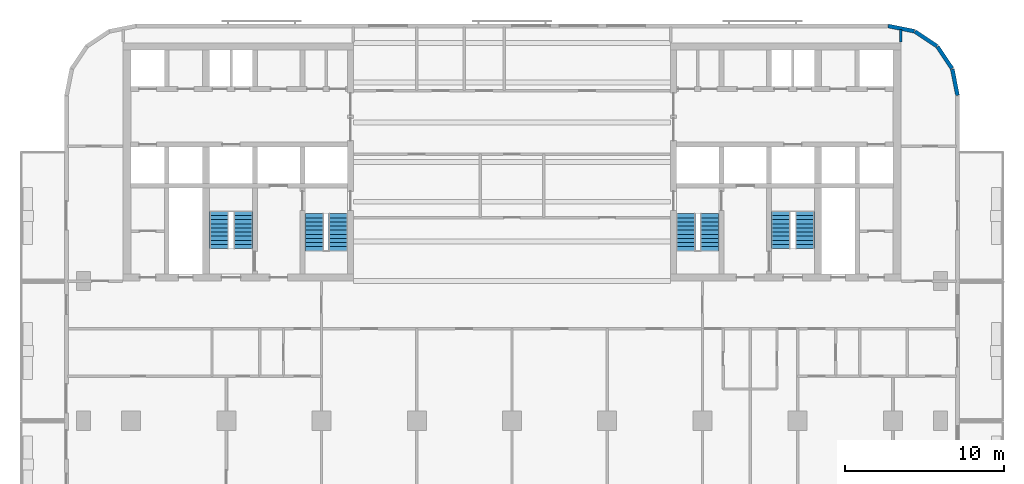
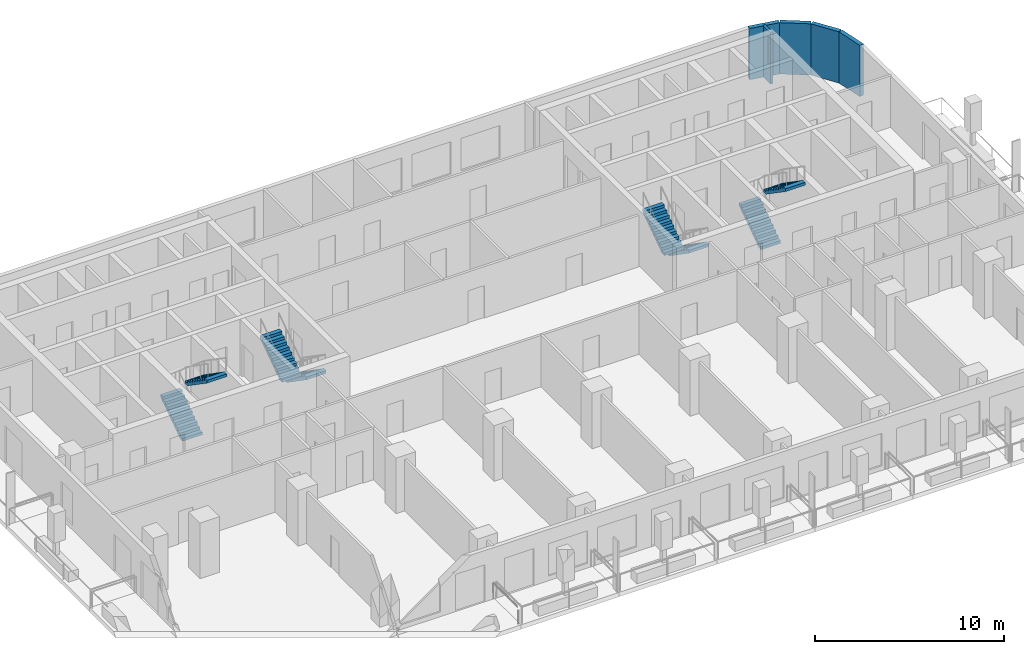
# One storey, part 8 of 12: 8 stair flights, 5 walls, 4 elements without a shape of their own.
"""IFC4 building model written with IfcOpenShell, lengths in metres."""

from ifc_helpers import new_model, si_unit, direction, frame, frame_2d, origin, place, context, subcontext, project, spatial, polyline, rectangle, outline, extrude, material, layer, layer_set, type_object, element, aggregate, save


model = new_model("IFC4")

# Units and contexts
model_context = context("Model", 3, precision=1e-05, world=origin(), true_north=direction((0.0, 1.0)))
body_context = subcontext(model_context, "Body", "Model", "MODEL_VIEW")
ifc_project = project(units=[si_unit("LENGTHUNIT", "METRE"), si_unit("AREAUNIT", "SQUARE_METRE"), si_unit("VOLUMEUNIT", "CUBIC_METRE"), si_unit("PLANEANGLEUNIT", "RADIAN"), si_unit("MASSUNIT", "GRAM", prefix="KILO")], contexts=[model_context])

# Site, building, storey
site_placement = place(None, origin())
site = spatial("IfcSite", under=ifc_project, at=site_placement, CompositionType="ELEMENT")
building_placement = place(site_placement, origin())
building = spatial("IfcBuilding", under=site, at=building_placement, Name="Torana Hotel and Residences", CompositionType="ELEMENT")
storey_placement = place(building_placement, frame((0.0, 0.0, 159.60009765625)))
storey = spatial("IfcBuildingStorey", under=building, at=storey_placement, Name="L41", CompositionType="ELEMENT", Elevation=159.60009765625)

# Walls
ifc_material_1 = material(Name="Black aluminium composite panel", Category="aluminium")
ifc_layer_1 = layer(ifc_material_1, 0.00390625, Name="Cladding", Category="cladding")
ifc_material_2 = material(Name="Ventilated air cavity")
ifc_layer_2 = layer(ifc_material_2, 0.0400390625, Name="Ventilated cavity", Category="cavity")
ifc_material_3 = material(Name="Mineral wool insulation")
ifc_layer_3 = layer(ifc_material_3, 0.090087890625, Name="Insulation", Category="insulation")
ifc_material_4 = material(Name="Steel S280GD", Category="steel")
ifc_layer_4 = layer(ifc_material_4, 0.092041015625, Name="Steel stud frame", Category="structure")
ifc_material_5 = material(Name="Fire rated plasterboard")
ifc_layer_5 = layer(ifc_material_5, 0.011962890625, Name="Inner board", Category="finish")
ifc_layer_6 = layer(ifc_material_5, 0.011962890625, Name="Second board", Category="finish")
ifc_layer_set_1 = layer_set([ifc_layer_1, ifc_layer_2, ifc_layer_3, ifc_layer_4, ifc_layer_5, ifc_layer_6], Name="EW1 EXTERNAL WALL BLACK METAL CLAD 250")
wall_type_1 = type_object("IfcWallType", Name="EW1 EXTERNAL WALL BLACK METAL CLAD 250", PredefinedType="SOLIDWALL", material=ifc_layer_set_1)
wall_1_placement = place(storey_placement, frame((28.072509765625, -3.30029296875, 0.0), z_axis=(0.0, 0.0, 1.0), x_axis=(-0.194999110559, 0.980803419081, 0.0)))
element("IfcWall", 1, at=wall_1_placement, inside=storey, type_object=wall_type_1, Name="External wall L41 e0.0", PredefinedType="SOLIDWALL", context=body_context, shape_type="SweptSolid", body=[
    extrude(rectangle(XDim=1.681396484375, YDim=0.25, at=frame_2d((0.8408203125, 0.0))), origin(), (0.0, 0.0, 1.0), 3.31982421875),
])
for number, where, z_axis, x_axis, name in (
    (2, (27.725830078125, -1.60595703125, 0.0), (0.0, 0.0, 1.0), (-0.55555029066, 0.831482937015, 0.0), "External wall L41 e0.1"),
    (3, (26.771240234375, -0.1943359375, 0.0), (0.0, 0.0, 1.0), (-0.831482937015, 0.55555029066, 0.0), "External wall L41 e0.2"),
):
    element("IfcWall", number, at=place(storey_placement, frame(where, z_axis=z_axis, x_axis=x_axis)), inside=storey, type_object=wall_type_1, Name=name, PredefinedType="SOLIDWALL", context=body_context, shape_type="SweptSolid", body=[
        extrude(rectangle(XDim=1.65625, YDim=0.25, at=frame_2d((0.828125, 0.0))), origin(), (0.0, 0.0, 1.0), 3.31982421875),
    ])
wall_2_placement = place(storey_placement, frame((25.348876953125, 0.74462890625, 0.0), z_axis=(0.0, 0.0, 1.0), x_axis=(-0.980803419081, 0.194999110559, 0.0)))
element("IfcWall", 4, at=wall_2_placement, inside=storey, type_object=wall_type_1, Name="External wall L41 e0.3", PredefinedType="SOLIDWALL", context=body_context, shape_type="SweptSolid", body=[
    extrude(rectangle(XDim=1.681396484375, YDim=0.25, at=frame_2d((0.8408203125, 0.0))), origin(), (0.0, 0.0, 1.0), 3.31982421875),
])
ifc_material_6 = material(Name="Gypsum plasterboard")
ifc_layer_7 = layer(ifc_material_6, 0.012451171875, Name="Plasterboard", Category="finish")
ifc_layer_8 = layer(ifc_material_6, 0.012451171875, Name="Plasterboard", Category="finish")
ifc_layer_9 = layer(ifc_material_4, 0.10009765625, Name="Steel studs with mineral wool", Category="insulation")
ifc_layer_10 = layer(ifc_material_6, 0.012451171875, Name="Plasterboard", Category="finish")
ifc_layer_11 = layer(ifc_material_6, 0.012451171875, Name="Plasterboard", Category="finish")
ifc_layer_set_2 = layer_set([ifc_layer_7, ifc_layer_8, ifc_layer_9, ifc_layer_10, ifc_layer_11], Name="PARTITION 150 PLASTERBOARD")
wall_type_2 = type_object("IfcWallType", Name="PARTITION 150 PLASTERBOARD", PredefinedType="PARTITIONING", material=ifc_layer_set_2)
wall_3_placement = place(storey_placement, frame((24.5, 0.050048828125, 0.0), z_axis=(0.0, 0.0, 1.0), x_axis=(0.0, 1.0, 0.0)))
element("IfcWall", 5, at=wall_3_placement, inside=storey, type_object=wall_type_2, Name="Partition L41", PredefinedType="PARTITIONING", context=body_context, shape_type="SweptSolid", body=[
    extrude(rectangle(XDim=0.807373046875, YDim=0.14990234375, at=frame_2d((0.40380859375, 0.0))), origin(), (0.0, 0.0, 1.0), 3.31982421875),
])

# Stair, stair flights
ifc_material_7 = material(Name="Concrete C40/50 precast", Category="concrete")
stair_type_1 = type_object("IfcStairType", Name="STAIR ST1 HALF TURN 1200", PredefinedType="HALF_TURN_STAIR", material=ifc_material_7)
stair_1_placement = place(storey_placement, origin())
stair_1 = element("IfcStair", 6, at=stair_1_placement, inside=storey, type_object=stair_type_1, Name="Stair ST1 L41", PredefinedType="HALF_TURN_STAIR")
ifc_material_8 = material(Name="Concrete C40/50 precast", Category="concrete")
stair_flight_type = type_object("IfcStairFlightType", Name="STAIR FLIGHT 1200 PRECAST", PredefinedType="STRAIGHT", material=ifc_material_8)
stair_flight_1_placement = place(storey_placement, frame((-10.949951171875, -10.75, 0.0), z_axis=(0.0, 0.0, 1.0), x_axis=(0.0, -1.0, 0.0)))
stair_flight_1 = element("IfcStairFlight", 7, at=stair_flight_1_placement, type_object=stair_flight_type, Name="ST1 flight 1", NumberOfRisers=10, NumberOfTreads=9, PredefinedType="STRAIGHT", RiserHeight=0.18, TreadLength=0.26, context=body_context, shape_type="SweptSolid", body=[
    extrude(outline(polyline([(0.0, 0.0), (0.0, 0.179931640625), (0.260009765625, 0.179931640625), (0.260009765625, 0.360107421875), (0.52001953125, 0.360107421875), (0.52001953125, 0.5400390625), (0.780029296875, 0.5400390625), (0.780029296875, 0.719970703125), (1.0400390625, 0.719970703125), (1.0400390625, 0.89990234375), (1.300048828125, 0.89990234375), (1.300048828125, 1.080078125), (1.56005859375, 1.080078125), (1.56005859375, 1.260009765625), (1.820068359375, 1.260009765625), (1.820068359375, 1.43994140625), (2.080078125, 1.43994140625), (2.080078125, 1.6201171875), (2.340087890625, 1.6201171875), (2.340087890625, 1.800048828125), (2.340087890625, 1.437744140625), (0.263427734375, 0.0), (0.0, 0.0)])), frame((0.0, 0.60009765625, 0.0), z_axis=(0.0, -1.0, 0.0), x_axis=(1.0, 0.0, 0.0)), (0.0, 0.0, 1.0), 1.199951171875),
])
stair_flight_2_placement = place(storey_placement, frame((-12.449951171875, -13.090087890625, 1.7998046875), z_axis=(0.0, 0.0, 1.0), x_axis=(0.0, 1.0, 0.0)))
stair_flight_2 = element("IfcStairFlight", 8, at=stair_flight_2_placement, type_object=stair_flight_type, Name="ST1 flight 2", NumberOfRisers=10, NumberOfTreads=9, PredefinedType="STRAIGHT", RiserHeight=0.18, TreadLength=0.26, context=body_context, shape_type="SweptSolid", body=[
    extrude(outline(polyline([(0.0, 0.0), (0.0, 0.179931640625), (0.260009765625, 0.179931640625), (0.260009765625, 0.360107421875), (0.52001953125, 0.360107421875), (0.52001953125, 0.5400390625), (0.780029296875, 0.5400390625), (0.780029296875, 0.719970703125), (1.0400390625, 0.719970703125), (1.0400390625, 0.89990234375), (1.300048828125, 0.89990234375), (1.300048828125, 1.080078125), (1.56005859375, 1.080078125), (1.56005859375, 1.260009765625), (1.820068359375, 1.260009765625), (1.820068359375, 1.43994140625), (2.080078125, 1.43994140625), (2.080078125, 1.6201171875), (2.340087890625, 1.6201171875), (2.340087890625, 1.800048828125), (2.340087890625, 1.437744140625), (0.263427734375, 0.0), (0.0, 0.0)])), frame((0.0, 0.60009765625, 0.0), z_axis=(0.0, -1.0, 0.0), x_axis=(1.0, 0.0, 0.0)), (0.0, 0.0, 1.0), 1.199951171875),
])
aggregate(stair_1, [stair_flight_1, stair_flight_2])

ifc_material_9 = material(Name="Concrete C40/50 precast", Category="concrete")
stair_type_2 = type_object("IfcStairType", Name="STAIR ST2 HALF TURN 1200", PredefinedType="HALF_TURN_STAIR", material=ifc_material_9)
stair_2_placement = place(storey_placement, origin())
stair_2 = element("IfcStair", 9, at=stair_2_placement, inside=storey, type_object=stair_type_2, Name="Stair ST2 L41", PredefinedType="HALF_TURN_STAIR")
stair_flight_3_placement = place(storey_placement, frame((-18.449951171875, -12.949951171875, 0.0), z_axis=(0.0, 0.0, 1.0), x_axis=(0.0, 1.0, 0.0)))
stair_flight_3 = element("IfcStairFlight", 10, at=stair_flight_3_placement, type_object=stair_flight_type, Name="ST2 flight 1", NumberOfRisers=10, NumberOfTreads=9, PredefinedType="STRAIGHT", RiserHeight=0.18, TreadLength=0.26, context=body_context, shape_type="SweptSolid", body=[
    extrude(outline(polyline([(0.0, 0.0), (0.0, 0.179931640625), (0.260009765625, 0.179931640625), (0.260009765625, 0.360107421875), (0.52001953125, 0.360107421875), (0.52001953125, 0.5400390625), (0.780029296875, 0.5400390625), (0.780029296875, 0.719970703125), (1.0400390625, 0.719970703125), (1.0400390625, 0.89990234375), (1.300048828125, 0.89990234375), (1.300048828125, 1.080078125), (1.56005859375, 1.080078125), (1.56005859375, 1.260009765625), (1.820068359375, 1.260009765625), (1.820068359375, 1.43994140625), (2.080078125, 1.43994140625), (2.080078125, 1.6201171875), (2.340087890625, 1.6201171875), (2.340087890625, 1.800048828125), (2.340087890625, 1.437744140625), (0.263427734375, 0.0), (0.0, 0.0)])), frame((0.0, 0.60009765625, 0.0), z_axis=(0.0, -1.0, 0.0), x_axis=(1.0, 0.0, 0.0)), (0.0, 0.0, 1.0), 1.199951171875),
])
stair_flight_4_placement = place(storey_placement, frame((-16.949951171875, -10.610107421875, 1.7998046875), z_axis=(0.0, 0.0, 1.0), x_axis=(0.0, -1.0, 0.0)))
stair_flight_4 = element("IfcStairFlight", 11, at=stair_flight_4_placement, type_object=stair_flight_type, Name="ST2 flight 2", NumberOfRisers=10, NumberOfTreads=9, PredefinedType="STRAIGHT", RiserHeight=0.18, TreadLength=0.26, context=body_context, shape_type="SweptSolid", body=[
    extrude(outline(polyline([(0.0, 0.0), (0.0, 0.179931640625), (0.260009765625, 0.179931640625), (0.260009765625, 0.360107421875), (0.52001953125, 0.360107421875), (0.52001953125, 0.5400390625), (0.780029296875, 0.5400390625), (0.780029296875, 0.719970703125), (1.0400390625, 0.719970703125), (1.0400390625, 0.89990234375), (1.300048828125, 0.89990234375), (1.300048828125, 1.080078125), (1.56005859375, 1.080078125), (1.56005859375, 1.260009765625), (1.820068359375, 1.260009765625), (1.820068359375, 1.43994140625), (2.080078125, 1.43994140625), (2.080078125, 1.6201171875), (2.340087890625, 1.6201171875), (2.340087890625, 1.800048828125), (2.340087890625, 1.437744140625), (0.263427734375, 0.0), (0.0, 0.0)])), frame((0.0, 0.60009765625, 0.0), z_axis=(0.0, -1.0, 0.0), x_axis=(1.0, 0.0, 0.0)), (0.0, 0.0, 1.0), 1.199951171875),
])
aggregate(stair_2, [stair_flight_3, stair_flight_4])

ifc_material_10 = material(Name="Concrete C40/50 precast", Category="concrete")
stair_type_3 = type_object("IfcStairType", Name="STAIR ST3 HALF TURN 1200", PredefinedType="HALF_TURN_STAIR", material=ifc_material_10)
stair_3_placement = place(storey_placement, origin())
stair_3 = element("IfcStair", 12, at=stair_3_placement, inside=storey, type_object=stair_type_3, Name="Stair ST3 L41", PredefinedType="HALF_TURN_STAIR")
stair_flight_5_placement = place(storey_placement, frame((12.449951171875, -10.75, 0.0), z_axis=(0.0, 0.0, 1.0), x_axis=(0.0, -1.0, 0.0)))
stair_flight_5 = element("IfcStairFlight", 13, at=stair_flight_5_placement, type_object=stair_flight_type, Name="ST3 flight 1", NumberOfRisers=10, NumberOfTreads=9, PredefinedType="STRAIGHT", RiserHeight=0.18, TreadLength=0.26, context=body_context, shape_type="SweptSolid", body=[
    extrude(outline(polyline([(0.0, 0.0), (0.0, 0.179931640625), (0.260009765625, 0.179931640625), (0.260009765625, 0.360107421875), (0.52001953125, 0.360107421875), (0.52001953125, 0.5400390625), (0.780029296875, 0.5400390625), (0.780029296875, 0.719970703125), (1.0400390625, 0.719970703125), (1.0400390625, 0.89990234375), (1.300048828125, 0.89990234375), (1.300048828125, 1.080078125), (1.56005859375, 1.080078125), (1.56005859375, 1.260009765625), (1.820068359375, 1.260009765625), (1.820068359375, 1.43994140625), (2.080078125, 1.43994140625), (2.080078125, 1.6201171875), (2.340087890625, 1.6201171875), (2.340087890625, 1.800048828125), (2.340087890625, 1.437744140625), (0.263427734375, 0.0), (0.0, 0.0)])), frame((0.0, 0.60009765625, 0.0), z_axis=(0.0, -1.0, 0.0), x_axis=(1.0, 0.0, 0.0)), (0.0, 0.0, 1.0), 1.199951171875),
])
stair_flight_6_placement = place(storey_placement, frame((10.949951171875, -13.090087890625, 1.7998046875), z_axis=(0.0, 0.0, 1.0), x_axis=(0.0, 1.0, 0.0)))
stair_flight_6 = element("IfcStairFlight", 14, at=stair_flight_6_placement, type_object=stair_flight_type, Name="ST3 flight 2", NumberOfRisers=10, NumberOfTreads=9, PredefinedType="STRAIGHT", RiserHeight=0.18, TreadLength=0.26, context=body_context, shape_type="SweptSolid", body=[
    extrude(outline(polyline([(0.0, 0.0), (0.0, 0.179931640625), (0.260009765625, 0.179931640625), (0.260009765625, 0.360107421875), (0.52001953125, 0.360107421875), (0.52001953125, 0.5400390625), (0.780029296875, 0.5400390625), (0.780029296875, 0.719970703125), (1.0400390625, 0.719970703125), (1.0400390625, 0.89990234375), (1.300048828125, 0.89990234375), (1.300048828125, 1.080078125), (1.56005859375, 1.080078125), (1.56005859375, 1.260009765625), (1.820068359375, 1.260009765625), (1.820068359375, 1.43994140625), (2.080078125, 1.43994140625), (2.080078125, 1.6201171875), (2.340087890625, 1.6201171875), (2.340087890625, 1.800048828125), (2.340087890625, 1.437744140625), (0.263427734375, 0.0), (0.0, 0.0)])), frame((0.0, 0.60009765625, 0.0), z_axis=(0.0, -1.0, 0.0), x_axis=(1.0, 0.0, 0.0)), (0.0, 0.0, 1.0), 1.199951171875),
])
aggregate(stair_3, [stair_flight_5, stair_flight_6])

ifc_material_11 = material(Name="Concrete C40/50 precast", Category="concrete")
stair_type_4 = type_object("IfcStairType", Name="STAIR ST4 HALF TURN 1200", PredefinedType="HALF_TURN_STAIR", material=ifc_material_11)
stair_4_placement = place(storey_placement, origin())
stair_4 = element("IfcStair", 15, at=stair_4_placement, inside=storey, type_object=stair_type_4, Name="Stair ST4 L41", PredefinedType="HALF_TURN_STAIR")
stair_flight_7_placement = place(storey_placement, frame((16.949951171875, -12.949951171875, 0.0), z_axis=(0.0, 0.0, 1.0), x_axis=(0.0, 1.0, 0.0)))
stair_flight_7 = element("IfcStairFlight", 16, at=stair_flight_7_placement, type_object=stair_flight_type, Name="ST4 flight 1", NumberOfRisers=10, NumberOfTreads=9, PredefinedType="STRAIGHT", RiserHeight=0.18, TreadLength=0.26, context=body_context, shape_type="SweptSolid", body=[
    extrude(outline(polyline([(0.0, 0.0), (0.0, 0.179931640625), (0.260009765625, 0.179931640625), (0.260009765625, 0.360107421875), (0.52001953125, 0.360107421875), (0.52001953125, 0.5400390625), (0.780029296875, 0.5400390625), (0.780029296875, 0.719970703125), (1.0400390625, 0.719970703125), (1.0400390625, 0.89990234375), (1.300048828125, 0.89990234375), (1.300048828125, 1.080078125), (1.56005859375, 1.080078125), (1.56005859375, 1.260009765625), (1.820068359375, 1.260009765625), (1.820068359375, 1.43994140625), (2.080078125, 1.43994140625), (2.080078125, 1.6201171875), (2.340087890625, 1.6201171875), (2.340087890625, 1.800048828125), (2.340087890625, 1.437744140625), (0.263427734375, 0.0), (0.0, 0.0)])), frame((0.0, 0.60009765625, 0.0), z_axis=(0.0, -1.0, 0.0), x_axis=(1.0, 0.0, 0.0)), (0.0, 0.0, 1.0), 1.199951171875),
])
stair_flight_8_placement = place(storey_placement, frame((18.449951171875, -10.610107421875, 1.7998046875), z_axis=(0.0, 0.0, 1.0), x_axis=(0.0, -1.0, 0.0)))
stair_flight_8 = element("IfcStairFlight", 17, at=stair_flight_8_placement, type_object=stair_flight_type, Name="ST4 flight 2", NumberOfRisers=10, NumberOfTreads=9, PredefinedType="STRAIGHT", RiserHeight=0.18, TreadLength=0.26, context=body_context, shape_type="SweptSolid", body=[
    extrude(outline(polyline([(0.0, 0.0), (0.0, 0.179931640625), (0.260009765625, 0.179931640625), (0.260009765625, 0.360107421875), (0.52001953125, 0.360107421875), (0.52001953125, 0.5400390625), (0.780029296875, 0.5400390625), (0.780029296875, 0.719970703125), (1.0400390625, 0.719970703125), (1.0400390625, 0.89990234375), (1.300048828125, 0.89990234375), (1.300048828125, 1.080078125), (1.56005859375, 1.080078125), (1.56005859375, 1.260009765625), (1.820068359375, 1.260009765625), (1.820068359375, 1.43994140625), (2.080078125, 1.43994140625), (2.080078125, 1.6201171875), (2.340087890625, 1.6201171875), (2.340087890625, 1.800048828125), (2.340087890625, 1.437744140625), (0.263427734375, 0.0), (0.0, 0.0)])), frame((0.0, 0.60009765625, 0.0), z_axis=(0.0, -1.0, 0.0), x_axis=(1.0, 0.0, 0.0)), (0.0, 0.0, 1.0), 1.199951171875),
])
aggregate(stair_4, [stair_flight_7, stair_flight_8])

save(model, "model.ifc")
